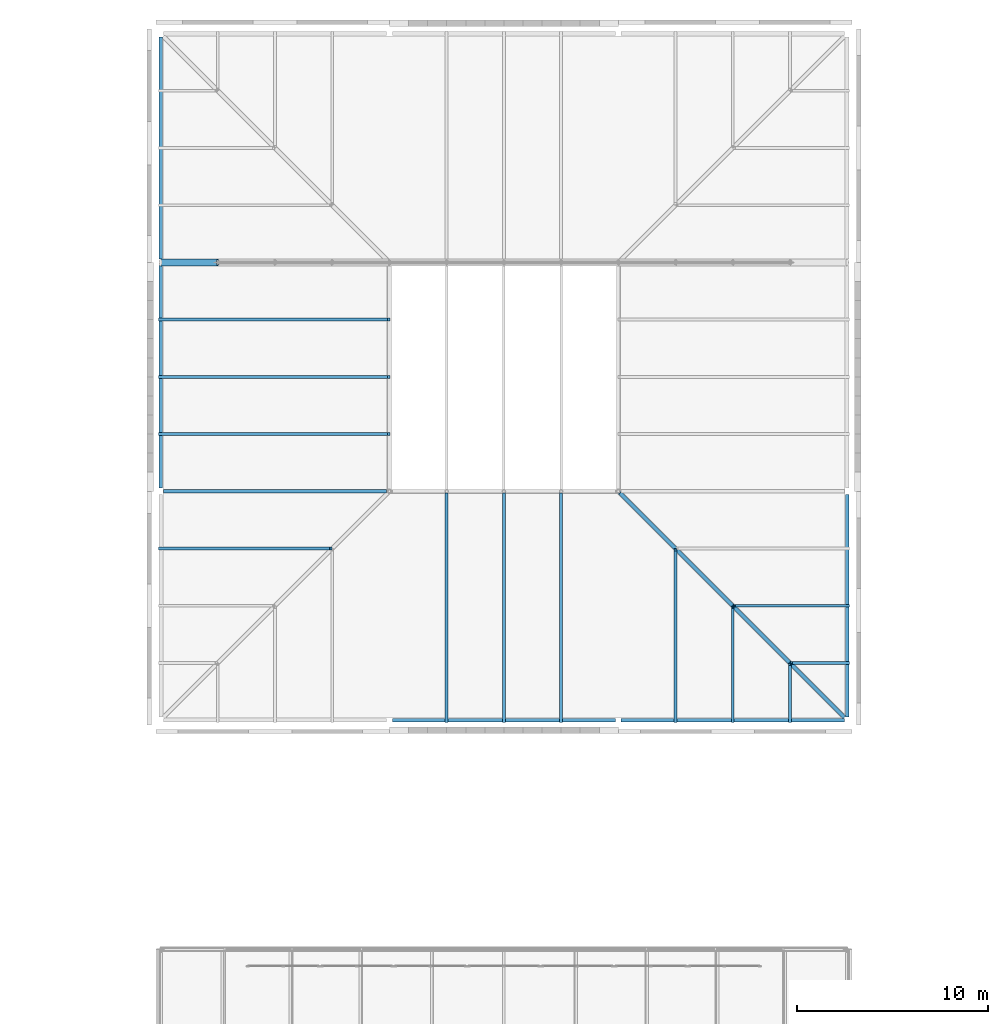
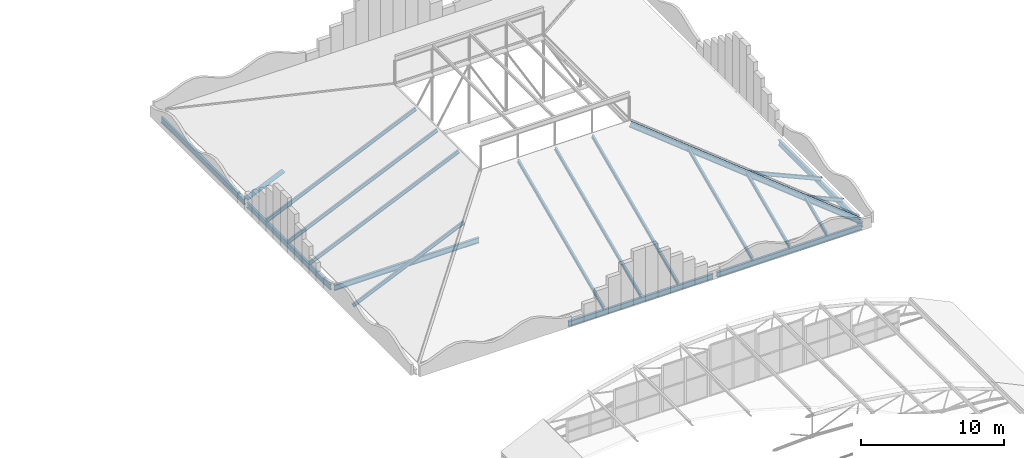
# One storey, part 227 of 321: 13 members, 7 beams.
"""IFC4 building model written with IfcOpenShell, lengths in metres."""

from ifc_helpers import new_model, si_unit, direction, frame, origin, origin_2d, place, context, subcontext, project, spatial, hollow_circle, i_section, extrude, material, material_profile, profile_set, type_object, element, save


model = new_model("IFC4")

# Units and contexts
model_context = context("Model", 3, precision=1e-05, world=origin(), true_north=direction((0.0, 1.0)))
body_context = subcontext(model_context, "Body", "Model", "MODEL_VIEW")
ifc_project = project(units=[si_unit("LENGTHUNIT", "METRE"), si_unit("AREAUNIT", "SQUARE_METRE"), si_unit("VOLUMEUNIT", "CUBIC_METRE"), si_unit("PLANEANGLEUNIT", "RADIAN"), si_unit("MASSUNIT", "GRAM", prefix="KILO")], contexts=[model_context])

# Site, building, storey
site_placement = place(None, origin())
site = spatial("IfcSite", under=ifc_project, at=site_placement, CompositionType="ELEMENT")
building_placement = place(site_placement, origin())
building = spatial("IfcBuilding", under=site, at=building_placement, Name="Ravi Spectrum Wholesale Market", CompositionType="ELEMENT")
storey_placement = place(building_placement, frame((0.0, 0.0, 10.800048828125)))
storey = spatial("IfcBuildingStorey", under=building, at=storey_placement, Name="L02", CompositionType="ELEMENT", Elevation=10.800048828125)

# Members
ifc_material_1 = material(Name="Steel S355", Category="steel")
ifc_material_profile_1 = material_profile(ifc_material_1, hollow_circle(Radius=0.177734375, WallThickness=0.012451171875, at=origin_2d()))
ifc_profile_set_1 = profile_set([ifc_material_profile_1], Name="Steel S355")
member_type_1 = type_object("IfcMemberType", Name="CHS 355.6x12.5 chord", PredefinedType="CHORD", material=ifc_profile_set_1)
member_1_placement = place(storey_placement, frame((162.0, 222.0, 0.161865234375), z_axis=(0.913627493157, 0.0, 0.406552338264), x_axis=(0.0, 1.0, 0.0)))
element("IfcMember", 1, at=member_1_placement, inside=storey, type_object=member_type_1, Name="AU-MB-L02-004", PredefinedType="CHORD", context=body_context, shape_type="SweptSolid", body=[
    extrude(hollow_circle(Radius=0.177734375, WallThickness=0.012451171875, at=origin_2d()), origin(), (0.0, 0.0, 1.0), 3.28369140625),
])
ifc_material_2 = material(Name="Steel S355", Category="steel")
ifc_material_profile_2 = material_profile(ifc_material_2, i_section(OverallWidth=0.14990234375, OverallDepth=0.300048828125, WebThickness=0.007080078125, FlangeThickness=0.0107421875, at=origin_2d()))
ifc_profile_set_2 = profile_set([ifc_material_profile_2], Name="Steel S355")
member_type_2 = type_object("IfcMemberType", Name="IPE 300 rafter", PredefinedType="RAFTER", material=ifc_profile_set_2)
member_2_placement = place(storey_placement, frame((198.06103515625, 201.0, 0.136962890625), z_axis=(-0.913620578719, 0.0, 0.406567876426), x_axis=(0.0, -1.0, 0.0)))
element("IfcMember", 2, at=member_2_placement, inside=storey, type_object=member_type_2, Name="AU-MB-L02-038", PredefinedType="RAFTER", context=body_context, shape_type="SweptSolid", body=[
    extrude(i_section(OverallWidth=0.14990234375, OverallDepth=0.300048828125, WebThickness=0.007080078125, FlangeThickness=0.0107421875, at=origin_2d()), origin(), (0.0, 0.0, 1.0), 3.270263671875),
])
member_3_placement = place(storey_placement, frame((198.06103515625, 204.0, 0.136962890625), z_axis=(-0.913624043006, 0.0, 0.40656009155), x_axis=(0.0, -1.0, 0.0)))
element("IfcMember", 3, at=member_3_placement, inside=storey, type_object=member_type_2, Name="AU-MB-L02-040", PredefinedType="RAFTER", context=body_context, shape_type="SweptSolid", body=[
    extrude(i_section(OverallWidth=0.14990234375, OverallDepth=0.300048828125, WebThickness=0.007080078125, FlangeThickness=0.0107421875, at=origin_2d()), origin(), (0.0, 0.0, 1.0), 6.553955078125),
])
member_4_placement = place(storey_placement, frame((161.93896484375, 207.0, 0.136962890625), z_axis=(0.913615976302, 0.0, 0.406578218606), x_axis=(0.0, 1.0, 0.0)))
element("IfcMember", 4, at=member_4_placement, inside=storey, type_object=member_type_2, Name="AU-MB-L02-041", PredefinedType="RAFTER", context=body_context, shape_type="SweptSolid", body=[
    extrude(i_section(OverallWidth=0.14990234375, OverallDepth=0.300048828125, WebThickness=0.007080078125, FlangeThickness=0.0107421875, at=origin_2d()), origin(), (0.0, 0.0, 1.0), 9.837646484375),
])
for number, where, z_axis, x_axis, name in (
    (5, (161.93896484375, 213.0, 0.136962890625), (0.913616426718, 0.0, 0.406577206482), (0.0, 1.0, 0.0), "AU-MB-L02-043"),
    (6, (161.93896484375, 216.0, 0.136962890625), (0.913616426718, 0.0, 0.406577206482), (0.0, 1.0, 0.0), "AU-MB-L02-045"),
    (7, (161.93896484375, 219.0, 0.136962890625), (0.913616426718, 0.0, 0.406577206482), (0.0, 1.0, 0.0), "AU-MB-L02-047"),
    (8, (177.0, 197.93896484375, 0.136962890625), (0.0, 0.913616426718, 0.406577206482), (-1.0, 0.0, 0.0), "AU-MB-L02-061"),
    (9, (180.0, 197.93896484375, 0.136962890625), (0.0, 0.913616426718, 0.406577206482), (-1.0, 0.0, 0.0), "AU-MB-L02-063"),
    (10, (183.0, 197.93896484375, 0.136962890625), (0.0, 0.913616426718, 0.406577206482), (-1.0, 0.0, 0.0), "AU-MB-L02-065"),
):
    element("IfcMember", number, at=place(storey_placement, frame(where, z_axis=z_axis, x_axis=x_axis)), inside=storey, type_object=member_type_2, Name=name, PredefinedType="RAFTER", context=body_context, shape_type="SweptSolid", body=[
        extrude(i_section(OverallWidth=0.14990234375, OverallDepth=0.300048828125, WebThickness=0.007080078125, FlangeThickness=0.0107421875, at=origin_2d()), origin(), (0.0, 0.0, 1.0), 13.164306640625),
    ])
member_5_placement = place(storey_placement, frame((189.0, 197.93896484375, 0.136962890625), z_axis=(0.0, 0.913615976302, 0.406578218606), x_axis=(-1.0, 0.0, 0.0)))
element("IfcMember", 11, at=member_5_placement, inside=storey, type_object=member_type_2, Name="AU-MB-L02-067", PredefinedType="RAFTER", context=body_context, shape_type="SweptSolid", body=[
    extrude(i_section(OverallWidth=0.14990234375, OverallDepth=0.300048828125, WebThickness=0.007080078125, FlangeThickness=0.0107421875, at=origin_2d()), origin(), (0.0, 0.0, 1.0), 9.837646484375),
])
member_6_placement = place(storey_placement, frame((192.0, 197.93896484375, 0.136962890625), z_axis=(0.0, 0.913624043006, 0.40656009155), x_axis=(-1.0, 0.0, 0.0)))
element("IfcMember", 12, at=member_6_placement, inside=storey, type_object=member_type_2, Name="AU-MB-L02-069", PredefinedType="RAFTER", context=body_context, shape_type="SweptSolid", body=[
    extrude(i_section(OverallWidth=0.14990234375, OverallDepth=0.300048828125, WebThickness=0.007080078125, FlangeThickness=0.0107421875, at=origin_2d()), origin(), (0.0, 0.0, 1.0), 6.553955078125),
])
member_7_placement = place(storey_placement, frame((195.0, 197.93896484375, 0.136962890625), z_axis=(0.0, 0.913620578719, 0.406567876426), x_axis=(-1.0, 0.0, 0.0)))
element("IfcMember", 13, at=member_7_placement, inside=storey, type_object=member_type_2, Name="AU-MB-L02-071", PredefinedType="RAFTER", context=body_context, shape_type="SweptSolid", body=[
    extrude(i_section(OverallWidth=0.14990234375, OverallDepth=0.300048828125, WebThickness=0.007080078125, FlangeThickness=0.0107421875, at=origin_2d()), origin(), (0.0, 0.0, 1.0), 3.270263671875),
])

# Beams
ifc_material_3 = material(Name="Steel S355", Category="steel")
ifc_material_profile_3 = material_profile(ifc_material_3, i_section(OverallWidth=0.18994140625, OverallDepth=0.449951171875, WebThickness=0.009521484375, FlangeThickness=0.0146484375, at=origin_2d()))
ifc_profile_set_3 = profile_set([ifc_material_profile_3], Name="Steel S355")
beam_type = type_object("IfcBeamType", Name="IPE 450 girder", PredefinedType="BEAM", material=ifc_profile_set_3)
for number, where, z_axis, x_axis, name in (
    (14, (174.14990234375, 198.0, -0.22509765625), (1.0, 0.0, 0.0), (0.0, 1.0, 0.0), "AU-BM-L02-002"),
    (15, (186.14990234375, 198.0, -0.22509765625), (1.0, 0.0, 0.0), (0.0, 1.0, 0.0), "AU-BM-L02-003"),
    (16, (162.14990234375, 210.0, -0.22509765625), (1.0, 0.0, 0.0), (0.0, 1.0, 0.0), "AU-BM-L02-007"),
):
    element("IfcBeam", number, at=place(storey_placement, frame(where, z_axis=z_axis, x_axis=x_axis)), inside=storey, type_object=beam_type, Name=name, PredefinedType="BEAM", context=body_context, shape_type="SweptSolid", body=[
        extrude(i_section(OverallWidth=0.18994140625, OverallDepth=0.449951171875, WebThickness=0.009521484375, FlangeThickness=0.0146484375, at=origin_2d()), origin(), (0.0, 0.0, 1.0), 11.7001953125),
    ])
for number, where, z_axis, x_axis, name in (
    (17, (162.0, 210.169921875, -0.22509765625), (0.0, 1.0, 0.0), (-1.0, 0.0, 0.0), "AU-BM-L02-011"),
    (18, (162.0, 222.169921875, -0.22509765625), (0.0, 1.0, 0.0), (-1.0, 0.0, 0.0), "AU-BM-L02-012"),
    (19, (198.0, 198.169921875, -0.22509765625), (0.0, 1.0, 0.0), (-1.0, 0.0, 0.0), "AU-BM-L02-013"),
):
    element("IfcBeam", number, at=place(storey_placement, frame(where, z_axis=z_axis, x_axis=x_axis)), inside=storey, type_object=beam_type, Name=name, PredefinedType="BEAM", context=body_context, shape_type="SweptSolid", body=[
        extrude(i_section(OverallWidth=0.18994140625, OverallDepth=0.449951171875, WebThickness=0.009521484375, FlangeThickness=0.0146484375, at=origin_2d()), origin(), (0.0, 0.0, 1.0), 11.66015625),
    ])
beam_placement = place(storey_placement, frame((197.80224609375, 198.19775390625, 0.180419921875), z_axis=(-0.674499456872, 0.674499456872, 0.300168228429), x_axis=(-0.707106781187, -0.707106781187, 0.0)))
element("IfcBeam", 20, at=beam_placement, inside=storey, type_object=beam_type, Name="AU-BM-L02-017", PredefinedType="BEAM", context=body_context, shape_type="SweptSolid", body=[
    extrude(i_section(OverallWidth=0.18994140625, OverallDepth=0.449951171875, WebThickness=0.009521484375, FlangeThickness=0.0146484375, at=origin_2d()), origin(), (0.0, 0.0, 1.0), 17.427490234375),
])

save(model, "model.ifc")
